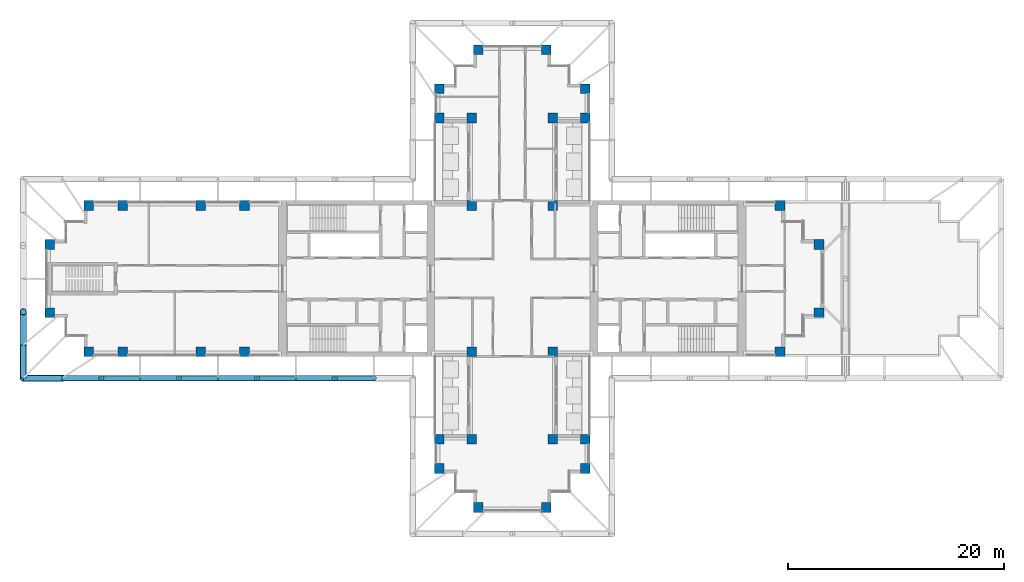
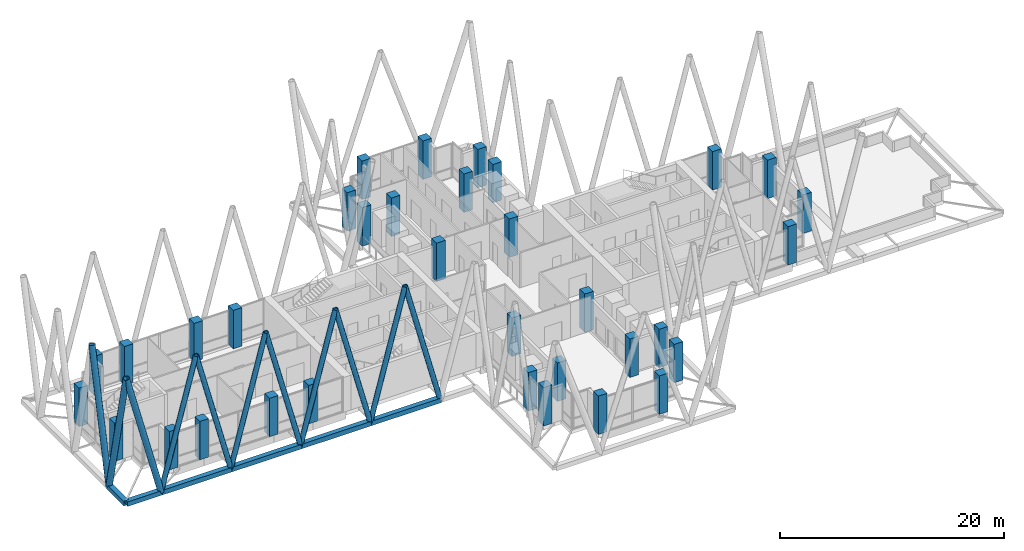
# One storey, part 1 of 19: 34 columns, 17 members.
"""IFC4 building model written with IfcOpenShell, lengths in metres."""

from ifc_helpers import new_model, si_unit, direction, frame, origin, origin_2d, place, context, subcontext, project, spatial, rectangle, hollow_rectangle, hollow_circle, extrude, material, material_profile, profile_set, type_object, element, save


model = new_model("IFC4")

# Units and contexts
model_context = context("Model", 3, precision=1e-05, world=origin(), true_north=direction((0.0, 1.0)))
body_context = subcontext(model_context, "Body", "Model", "MODEL_VIEW")
ifc_project = project(units=[si_unit("LENGTHUNIT", "METRE"), si_unit("AREAUNIT", "SQUARE_METRE"), si_unit("VOLUMEUNIT", "CUBIC_METRE"), si_unit("PLANEANGLEUNIT", "RADIAN"), si_unit("MASSUNIT", "GRAM", prefix="KILO")], contexts=[model_context])

# Site, building, storey
site_placement = place(None, origin())
site = spatial("IfcSite", under=ifc_project, at=site_placement, CompositionType="ELEMENT")
building_placement = place(site_placement, origin())
building = spatial("IfcBuilding", under=site, at=building_placement, Name="Fustian Cross Tower", CompositionType="ELEMENT")
storey_placement = place(building_placement, frame((0.0, 0.0, 166.5)))
storey = spatial("IfcBuildingStorey", under=building, at=storey_placement, Name="L52", CompositionType="ELEMENT", Elevation=166.5)

# Columns
ifc_material_1 = material(Name="Concrete C40/50", Category="concrete")
ifc_material_profile_1 = material_profile(ifc_material_1, rectangle(XDim=0.89990234375, YDim=0.89990234375, at=origin_2d()), Name="RC 900x900")
ifc_profile_set_1 = profile_set([ifc_material_profile_1], Name="Concrete C40/50")
column_type = type_object("IfcColumnType", Name="COLUMN RC 900x900 C40/50", PredefinedType="COLUMN", material=ifc_profile_set_1)
for number, where, z_axis, x_axis, name in (
    (1, (-42.75, -3.14990234375, 0.0), (0.0, 0.0, 1.0), (1.0, 0.0, 0.0), "COLUMN 001"),
    (2, (-42.75, 3.14990234375, 0.0), (0.0, 0.0, 1.0), (1.0, 0.0, 0.0), "COLUMN 002"),
    (3, (-39.14990234375, -6.75, 0.0), (0.0, 0.0, 1.0), (1.0, 0.0, 0.0), "COLUMN 003"),
    (4, (-39.14990234375, 6.75, 0.0), (0.0, 0.0, 1.0), (1.0, 0.0, 0.0), "COLUMN 004"),
    (5, (-36.0, -6.75, 0.0), (0.0, 0.0, 1.0), (1.0, 0.0, 0.0), "COLUMN 005"),
    (6, (-36.0, 6.75, 0.0), (0.0, 0.0, 1.0), (1.0, 0.0, 0.0), "COLUMN 006"),
    (7, (-28.800048828125, -6.75, 0.0), (0.0, 0.0, 1.0), (1.0, 0.0, 0.0), "COLUMN 007"),
    (8, (-28.800048828125, 6.75, 0.0), (0.0, 0.0, 1.0), (1.0, 0.0, 0.0), "COLUMN 010"),
    (9, (-24.75, -6.75, 0.0), (0.0, 0.0, 1.0), (1.0, 0.0, 0.0), "COLUMN 011"),
    (10, (-24.75, 6.75, 0.0), (0.0, 0.0, 1.0), (1.0, 0.0, 0.0), "COLUMN 012"),
    (11, (-6.75, -17.550048828125, 0.0), (0.0, 0.0, 1.0), (1.0, 0.0, 0.0), "COLUMN 017"),
    (12, (-6.75, -14.85009765625, 0.0), (0.0, 0.0, 1.0), (1.0, 0.0, 0.0), "COLUMN 018"),
    (13, (-6.75, 14.85009765625, 0.0), (0.0, 0.0, 1.0), (1.0, 0.0, 0.0), "COLUMN 019"),
    (14, (-6.75, 17.550048828125, 0.0), (0.0, 0.0, 1.0), (1.0, 0.0, 0.0), "COLUMN 020"),
    (15, (-3.75, -14.85009765625, 0.0), (0.0, 0.0, 1.0), (1.0, 0.0, 0.0), "COLUMN 025"),
    (16, (-3.75, -6.75, 0.0), (0.0, 0.0, 1.0), (1.0, 0.0, 0.0), "COLUMN 026"),
    (17, (-3.75, 6.75, 0.0), (0.0, 0.0, 1.0), (1.0, 0.0, 0.0), "COLUMN 027"),
    (18, (-3.75, 14.85009765625, 0.0), (0.0, 0.0, 1.0), (1.0, 0.0, 0.0), "COLUMN 028"),
    (19, (-3.14990234375, -21.14990234375, 0.0), (0.0, 0.0, 1.0), (1.0, 0.0, 0.0), "COLUMN 030"),
    (20, (-3.14990234375, 21.14990234375, 0.0), (0.0, 0.0, 1.0), (1.0, 0.0, 0.0), "COLUMN 031"),
    (21, (3.14990234375, -21.14990234375, 0.0), (0.0, 0.0, 1.0), (1.0, 0.0, 0.0), "COLUMN 034"),
    (22, (3.14990234375, 21.14990234375, 0.0), (0.0, 0.0, 1.0), (1.0, 0.0, 0.0), "COLUMN 035"),
    (23, (3.75, -14.85009765625, 0.0), (0.0, 0.0, 1.0), (1.0, 0.0, 0.0), "COLUMN 037"),
    (24, (3.75, -6.75, 0.0), (0.0, 0.0, 1.0), (1.0, 0.0, 0.0), "COLUMN 038"),
    (25, (3.75, 6.75, 0.0), (0.0, 0.0, 1.0), (1.0, 0.0, 0.0), "COLUMN 039"),
    (26, (3.75, 14.85009765625, 0.0), (0.0, 0.0, 1.0), (1.0, 0.0, 0.0), "COLUMN 040"),
    (27, (6.75, -17.550048828125, 0.0), (0.0, 0.0, 1.0), (1.0, 0.0, 0.0), "COLUMN 045"),
    (28, (6.75, -14.85009765625, 0.0), (0.0, 0.0, 1.0), (1.0, 0.0, 0.0), "COLUMN 046"),
    (29, (6.75, 14.85009765625, 0.0), (0.0, 0.0, 1.0), (1.0, 0.0, 0.0), "COLUMN 047"),
    (30, (6.75, 17.550048828125, 0.0), (0.0, 0.0, 1.0), (1.0, 0.0, 0.0), "COLUMN 048"),
    (31, (24.75, -6.75, 0.0), (0.0, 0.0, 1.0), (1.0, 0.0, 0.0), "COLUMN 053"),
    (32, (24.75, 6.75, 0.0), (0.0, 0.0, 1.0), (1.0, 0.0, 0.0), "COLUMN 054"),
    (33, (28.35009765625, -3.14990234375, 0.0), (0.0, 0.0, 1.0), (1.0, 0.0, 0.0), "COLUMN 056"),
    (34, (28.35009765625, 3.14990234375, 0.0), (0.0, 0.0, 1.0), (1.0, 0.0, 0.0), "COLUMN 057"),
):
    element("IfcColumn", number, at=place(storey_placement, frame(where, z_axis=z_axis, x_axis=x_axis)), inside=storey, type_object=column_type, Name=name, PredefinedType="COLUMN", context=body_context, shape_type="SweptSolid", body=[
        extrude(rectangle(XDim=0.89990234375, YDim=0.89990234375, at=origin_2d()), origin(), (0.0, 0.0, 1.0), 4.199951171875),
    ])

# Members
ifc_material_2 = material(Name="Steel S355", Category="steel")
ifc_material_profile_2 = material_profile(ifc_material_2, hollow_circle(Radius=0.25390625, WallThickness=0.02001953125, at=origin_2d()), Name="CHS 508x20")
ifc_profile_set_2 = profile_set([ifc_material_profile_2], Name="Steel S355")
member_type_1 = type_object("IfcMemberType", Name="DIAGRID DIAGONAL CHS 508x20", PredefinedType="BRACE", material=ifc_profile_set_2)
for number, where, z_axis, x_axis, name in (
    (35, (-41.60009765625, -9.199951171875, -0.39990234375), (0.255901623089, 0.0, 0.966702828847), (0.0, 1.0, 0.0), "Diagrid diagonal W-S 02"),
    (36, (-34.39990234375, -9.199951171875, -0.39990234375), (-0.255901623089, 0.0, 0.966702828847), (0.0, -1.0, 0.0), "Diagrid diagonal W-S 03"),
):
    element("IfcMember", number, at=place(storey_placement, frame(where, z_axis=z_axis, x_axis=x_axis)), inside=storey, type_object=member_type_1, Name=name, PredefinedType="BRACE", context=body_context, shape_type="SweptSolid", body=[
        extrude(hollow_circle(Radius=0.25390625, WallThickness=0.02001953125, at=origin_2d()), origin(), (0.0, 0.0, 1.0), 14.068359375),
    ])
member_1_placement = place(storey_placement, frame((-34.39990234375, -9.199951171875, -0.39990234375), z_axis=(0.255885405448, 0.0, 0.966707121769), x_axis=(0.0, 1.0, 0.0)))
element("IfcMember", 37, at=member_1_placement, inside=storey, type_object=member_type_1, Name="Diagrid diagonal W-S 04", PredefinedType="BRACE", context=body_context, shape_type="SweptSolid", body=[
    extrude(hollow_circle(Radius=0.25390625, WallThickness=0.02001953125, at=origin_2d()), origin(), (0.0, 0.0, 1.0), 14.068115234375),
])
member_2_placement = place(storey_placement, frame((-27.199951171875, -9.199951171875, -0.39990234375), z_axis=(-0.255901623089, 0.0, 0.966702828847), x_axis=(0.0, -1.0, 0.0)))
element("IfcMember", 38, at=member_2_placement, inside=storey, type_object=member_type_1, Name="Diagrid diagonal W-S 05", PredefinedType="BRACE", context=body_context, shape_type="SweptSolid", body=[
    extrude(hollow_circle(Radius=0.25390625, WallThickness=0.02001953125, at=origin_2d()), origin(), (0.0, 0.0, 1.0), 14.068359375),
])
member_3_placement = place(storey_placement, frame((-27.199951171875, -9.199951171875, -0.39990234375), z_axis=(0.255885405448, 0.0, 0.966707121769), x_axis=(0.0, 1.0, 0.0)))
element("IfcMember", 39, at=member_3_placement, inside=storey, type_object=member_type_1, Name="Diagrid diagonal W-S 06", PredefinedType="BRACE", context=body_context, shape_type="SweptSolid", body=[
    extrude(hollow_circle(Radius=0.25390625, WallThickness=0.02001953125, at=origin_2d()), origin(), (0.0, 0.0, 1.0), 14.068115234375),
])
for number, where, z_axis, x_axis, name in (
    (40, (-20.0, -9.199951171875, -0.39990234375), (-0.255901623089, 0.0, 0.966702828847), (0.0, -1.0, 0.0), "Diagrid diagonal W-S 07"),
    (41, (-20.0, -9.199951171875, -0.39990234375), (0.255901623089, 0.0, 0.966702828847), (0.0, 1.0, 0.0), "Diagrid diagonal W-S 08"),
):
    element("IfcMember", number, at=place(storey_placement, frame(where, z_axis=z_axis, x_axis=x_axis)), inside=storey, type_object=member_type_1, Name=name, PredefinedType="BRACE", context=body_context, shape_type="SweptSolid", body=[
        extrude(hollow_circle(Radius=0.25390625, WallThickness=0.02001953125, at=origin_2d()), origin(), (0.0, 0.0, 1.0), 14.068359375),
    ])
member_4_placement = place(storey_placement, frame((-12.800048828125, -9.199951171875, -0.39990234375), z_axis=(-0.255885405448, 0.0, 0.966707121769), x_axis=(0.0, -1.0, 0.0)))
element("IfcMember", 42, at=member_4_placement, inside=storey, type_object=member_type_1, Name="Diagrid diagonal W-S 09", PredefinedType="BRACE", context=body_context, shape_type="SweptSolid", body=[
    extrude(hollow_circle(Radius=0.25390625, WallThickness=0.02001953125, at=origin_2d()), origin(), (0.0, 0.0, 1.0), 14.068115234375),
])
ifc_material_3 = material(Name="Steel S355", Category="steel")
ifc_material_profile_3 = material_profile(ifc_material_3, hollow_circle(Radius=0.3046875, WallThickness=0.02490234375, at=origin_2d()), Name="CHS 610x25")
ifc_profile_set_3 = profile_set([ifc_material_profile_3], Name="Steel S355")
member_type_2 = type_object("IfcMemberType", Name="DIAGRID DIAGONAL CHS 610x25", PredefinedType="BRACE", material=ifc_profile_set_3)
for number, where, z_axis, x_axis, name in (
    (43, (-45.199951171875, -6.13330078125, -0.39990234375), (0.0, 0.219968462848, 0.975506983754), (-1.0, 0.0, 0.0), "Diagrid diagonal W-end 05"),
    (44, (-45.199951171875, -6.13330078125, -0.39990234375), (0.0, -0.219968462848, 0.975506983754), (1.0, 0.0, 0.0), "Diagrid diagonal W-end 06"),
):
    element("IfcMember", number, at=place(storey_placement, frame(where, z_axis=z_axis, x_axis=x_axis)), inside=storey, type_object=member_type_2, Name=name, PredefinedType="BRACE", context=body_context, shape_type="SweptSolid", body=[
        extrude(hollow_circle(Radius=0.3046875, WallThickness=0.02490234375, at=origin_2d()), origin(), (0.0, 0.0, 1.0), 13.94140625),
    ])
member_5_placement = place(storey_placement, frame((-41.60009765625, -9.199951171875, -0.39990234375), z_axis=(-0.255885405448, 0.0, 0.966707121769), x_axis=(0.0, -1.0, 0.0)))
element("IfcMember", 45, at=member_5_placement, inside=storey, type_object=member_type_2, Name="Diagrid diagonal W-S 01", PredefinedType="BRACE", context=body_context, shape_type="SweptSolid", body=[
    extrude(hollow_circle(Radius=0.3046875, WallThickness=0.02490234375, at=origin_2d()), origin(), (0.0, 0.0, 1.0), 14.068115234375),
])
ifc_material_4 = material(Name="Steel S355", Category="steel")
ifc_material_profile_4 = material_profile(ifc_material_4, hollow_rectangle(XDim=0.5, YDim=0.5, WallThickness=0.02490234375, at=origin_2d()), Name="RHS 500x500x25")
ifc_profile_set_4 = profile_set([ifc_material_profile_4], Name="Steel S355")
member_type_3 = type_object("IfcMemberType", Name="DIAGRID RING RHS 500x500x25", PredefinedType="MEMBER", material=ifc_profile_set_4)
member_6_placement = place(storey_placement, frame((-45.199951171875, -6.13330078125, -0.39990234375), z_axis=(0.0, -1.0, 0.0), x_axis=(1.0, 0.0, 0.0)))
element("IfcMember", 46, at=member_6_placement, inside=storey, type_object=member_type_3, Name="Diagrid ring L52-28 L52-29", PredefinedType="MEMBER", context=body_context, shape_type="SweptSolid", body=[
    extrude(hollow_rectangle(XDim=0.5, YDim=0.5, WallThickness=0.02490234375, at=origin_2d()), origin(), (0.0, 0.0, 1.0), 3.066650390625),
])
member_7_placement = place(storey_placement, frame((-45.199951171875, -9.199951171875, -0.39990234375), z_axis=(1.0, 0.0, 0.0), x_axis=(0.0, 1.0, 0.0)))
element("IfcMember", 47, at=member_7_placement, inside=storey, type_object=member_type_3, Name="Diagrid ring L52-29 L52-30", PredefinedType="MEMBER", context=body_context, shape_type="SweptSolid", body=[
    extrude(hollow_rectangle(XDim=0.5, YDim=0.5, WallThickness=0.02490234375, at=origin_2d()), origin(), (0.0, 0.0, 1.0), 3.599853515625),
])
member_8_placement = place(storey_placement, frame((-41.60009765625, -9.199951171875, -0.39990234375), z_axis=(1.0, 0.0, 0.0), x_axis=(0.0, 1.0, 0.0)))
element("IfcMember", 48, at=member_8_placement, inside=storey, type_object=member_type_3, Name="Diagrid ring L52-30 L52-31", PredefinedType="MEMBER", context=body_context, shape_type="SweptSolid", body=[
    extrude(hollow_rectangle(XDim=0.5, YDim=0.5, WallThickness=0.02490234375, at=origin_2d()), origin(), (0.0, 0.0, 1.0), 7.2001953125),
])
for number, where, z_axis, x_axis, name in (
    (49, (-34.39990234375, -9.199951171875, -0.39990234375), (1.0, 0.0, 0.0), (0.0, 1.0, 0.0), "Diagrid ring L52-31 L52-32"),
    (50, (-27.199951171875, -9.199951171875, -0.39990234375), (1.0, 0.0, 0.0), (0.0, 1.0, 0.0), "Diagrid ring L52-32 L52-33"),
    (51, (-20.0, -9.199951171875, -0.39990234375), (1.0, 0.0, 0.0), (0.0, 1.0, 0.0), "Diagrid ring L52-33 L52-34"),
):
    element("IfcMember", number, at=place(storey_placement, frame(where, z_axis=z_axis, x_axis=x_axis)), inside=storey, type_object=member_type_3, Name=name, PredefinedType="MEMBER", context=body_context, shape_type="SweptSolid", body=[
        extrude(hollow_rectangle(XDim=0.5, YDim=0.5, WallThickness=0.02490234375, at=origin_2d()), origin(), (0.0, 0.0, 1.0), 7.199951171875),
    ])

save(model, "model.ifc")
